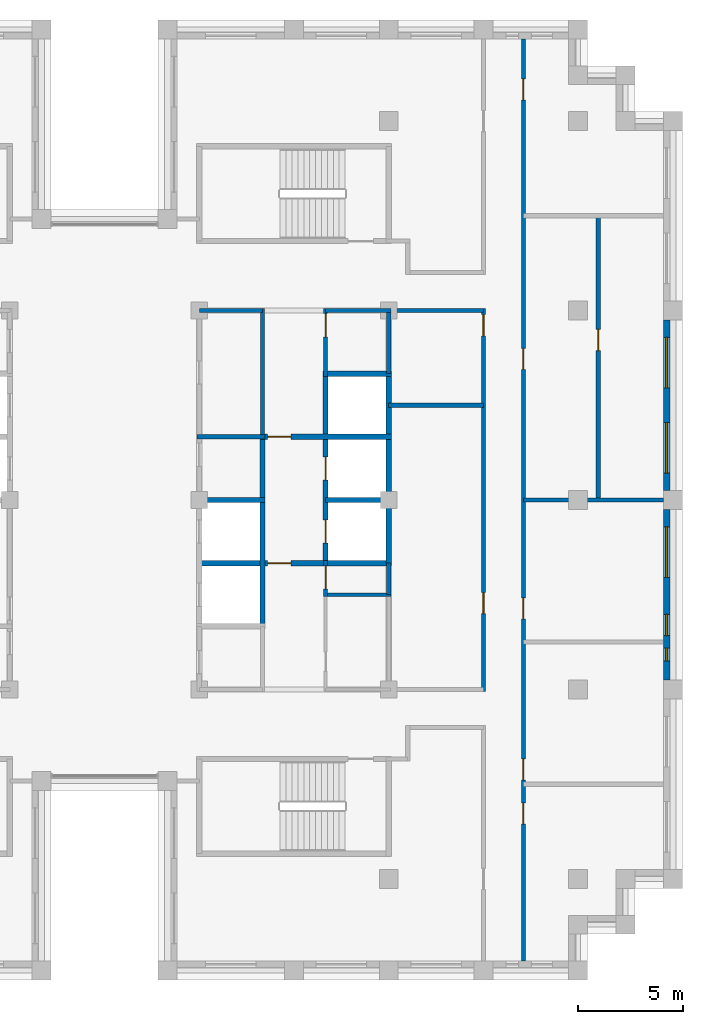
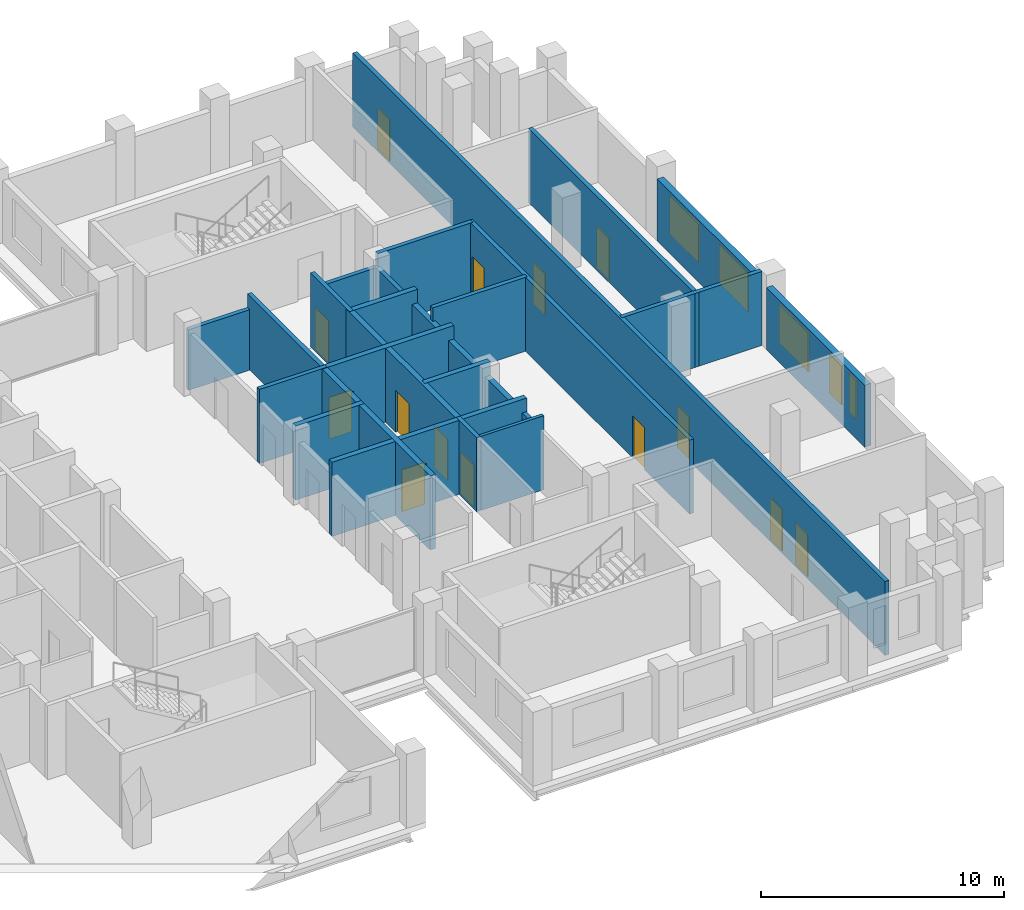
# One storey, part 9 of 13: 25 walls, 14 doors, 5 windows, 19 openings.
"""IFC4 building model written with IfcOpenShell, lengths in metres."""

from ifc_helpers import new_model, si_unit, direction, frame, frame_2d, origin, place, context, subcontext, project, spatial, rectangle, extrude, material, layer, layer_set, type_object, element, fill, save


model = new_model("IFC4")

# Units and contexts
model_context = context("Model", 3, precision=1e-05, world=origin(), true_north=direction((0.0, 1.0)))
body_context = subcontext(model_context, "Body", "Model", "MODEL_VIEW")
ifc_project = project(units=[si_unit("LENGTHUNIT", "METRE"), si_unit("AREAUNIT", "SQUARE_METRE"), si_unit("VOLUMEUNIT", "CUBIC_METRE"), si_unit("PLANEANGLEUNIT", "RADIAN"), si_unit("MASSUNIT", "GRAM", prefix="KILO")], contexts=[model_context])

# Site, building, storey
site_placement = place(None, origin())
site = spatial("IfcSite", under=ifc_project, at=site_placement, CompositionType="ELEMENT")
building_placement = place(site_placement, origin())
building = spatial("IfcBuilding", under=site, at=building_placement, Name="Corbelhall Arena Tower", CompositionType="ELEMENT")
storey_placement = place(building_placement, frame((0.0, 0.0, 246.0)))
storey = spatial("IfcBuildingStorey", under=building, at=storey_placement, Name="L52", CompositionType="ELEMENT", Elevation=246.0)

# Wall, openings, windows
ifc_material_1 = material(Name="Precast concrete C40/50 with granite facing", Category="masonry")
ifc_layer_1 = layer(ifc_material_1, 0.300048828125)
ifc_layer_set_1 = layer_set([ifc_layer_1], Name="EV-IW1 Infill panel 300")
wall_type_1 = type_object("IfcWallType", Name="EV-IW1 Infill panel 300", PredefinedType="SOLIDWALL", material=ifc_layer_set_1)
wall_1_placement = place(storey_placement, frame((26.699951171875, -8.550048828125, 0.0), z_axis=(0.0, 0.0, 1.0), x_axis=(0.0, 1.0, 0.0)))
wall_1 = element("IfcWall", 1, at=wall_1_placement, inside=storey, type_object=wall_type_1, Name="Infill panel IW1", PredefinedType="SOLIDWALL", context=body_context, shape_type="SweptSolid", body=[
    extrude(rectangle(XDim=8.10009765625, YDim=0.300048828125, at=frame_2d((4.050048828125, 0.0))), origin(), (0.0, 0.0, 1.0), 3.1201171875),
])
opening_1_placement = place(wall_1_placement, frame((4.875, 0.0, 0.800048828125)))
opening_1 = element("IfcOpeningElement", 2, at=opening_1_placement, cuts=wall_1, Name="Opening WN1", PredefinedType="OPENING", context=body_context, shape_type="SweptSolid", body=[
    extrude(rectangle(XDim=2.39990234375, YDim=1.949951171875, at=frame_2d((1.199951171875, 0.97509765625))), frame((0.0, 0.14990234375, 0.0), z_axis=(0.0, -1.0, 0.0), x_axis=(1.0, 0.0, 0.0)), (0.0, 0.0, 1.0), 0.300048828125),
])
opening_2_placement = place(wall_1_placement, frame((0.91259765625, 0.0, 0.800048828125)))
opening_2 = element("IfcOpeningElement", 3, at=opening_2_placement, cuts=wall_1, Name="Opening WN5", PredefinedType="OPENING", context=body_context, shape_type="SweptSolid", body=[
    extrude(rectangle(XDim=0.60009765625, YDim=1.949951171875, at=frame_2d((0.300048828125, 0.97509765625))), frame((0.0, 0.14990234375, 0.0), z_axis=(0.0, -1.0, 0.0), x_axis=(1.0, 0.0, 0.0)), (0.0, 0.0, 1.0), 0.300048828125),
])
opening_3_placement = place(wall_1_placement, frame((2.112548828125, 0.0, 0.800048828125)))
opening_3 = element("IfcOpeningElement", 4, at=opening_3_placement, cuts=wall_1, Name="Opening WN6", PredefinedType="OPENING", context=body_context, shape_type="SweptSolid", body=[
    extrude(rectangle(XDim=1.0, YDim=1.949951171875, at=frame_2d((0.5, 0.97509765625))), frame((0.0, 0.14990234375, 0.0), z_axis=(0.0, -1.0, 0.0), x_axis=(1.0, 0.0, 0.0)), (0.0, 0.0, 1.0), 0.300048828125),
])
ifc_material_2 = material(Name="Aluminium black anodised", Category="aluminium")
window_type_1 = type_object("IfcWindowType", Name="EV-WN1 Office window", PartitioningType="SINGLE_PANEL", PredefinedType="WINDOW", material=ifc_material_2)
window_1_placement = place(opening_1_placement, origin())
window_1 = element("IfcWindow", 5, at=window_1_placement, inside=storey, type_object=window_type_1, Name="Window WN1", OverallHeight=1.949951171875, OverallWidth=2.39990234375, PartitioningType="SINGLE_PANEL", PredefinedType="WINDOW", context=body_context, shape_type="SweptSolid", body=[
    extrude(rectangle(XDim=2.39990234375, YDim=1.949951171875, at=frame_2d((1.199951171875, 0.97509765625))), frame((0.0, 0.030029296875, 0.0), z_axis=(0.0, -1.0, 0.0), x_axis=(1.0, 0.0, 0.0)), (0.0, 0.0, 1.0), 0.06005859375),
])
fill(opening_1, window_1)
window_type_2 = type_object("IfcWindowType", Name="EV-WN5 Office window 600", PartitioningType="SINGLE_PANEL", PredefinedType="WINDOW", material=ifc_material_2)
window_2_placement = place(opening_2_placement, origin())
window_2 = element("IfcWindow", 6, at=window_2_placement, inside=storey, type_object=window_type_2, Name="Window WN5", OverallHeight=1.949951171875, OverallWidth=0.60009765625, PartitioningType="SINGLE_PANEL", PredefinedType="WINDOW", context=body_context, shape_type="SweptSolid", body=[
    extrude(rectangle(XDim=0.60009765625, YDim=1.949951171875, at=frame_2d((0.300048828125, 0.97509765625))), frame((0.0, 0.030029296875, 0.0), z_axis=(0.0, -1.0, 0.0), x_axis=(1.0, 0.0, 0.0)), (0.0, 0.0, 1.0), 0.06005859375),
])
fill(opening_2, window_2)
window_type_3 = type_object("IfcWindowType", Name="EV-WN6 Office window 1000", PartitioningType="SINGLE_PANEL", PredefinedType="WINDOW", material=ifc_material_2)
window_3_placement = place(opening_3_placement, origin())
window_3 = element("IfcWindow", 7, at=window_3_placement, inside=storey, type_object=window_type_3, Name="Window WN6", OverallHeight=1.949951171875, OverallWidth=1.0, PartitioningType="SINGLE_PANEL", PredefinedType="WINDOW", context=body_context, shape_type="SweptSolid", body=[
    extrude(rectangle(XDim=1.0, YDim=1.949951171875, at=frame_2d((0.5, 0.97509765625))), frame((0.0, 0.030029296875, 0.0), z_axis=(0.0, -1.0, 0.0), x_axis=(1.0, 0.0, 0.0)), (0.0, 0.0, 1.0), 0.06005859375),
])
fill(opening_3, window_3)

wall_2_placement = place(storey_placement, frame((26.699951171875, 0.449951171875, 0.0), z_axis=(0.0, 0.0, 1.0), x_axis=(0.0, 1.0, 0.0)))
wall_2 = element("IfcWall", 8, at=wall_2_placement, inside=storey, type_object=wall_type_1, Name="Infill panel IW1", PredefinedType="SOLIDWALL", context=body_context, shape_type="SweptSolid", body=[
    extrude(rectangle(XDim=8.10009765625, YDim=0.300048828125, at=frame_2d((4.050048828125, 0.0))), origin(), (0.0, 0.0, 1.0), 3.1201171875),
])
opening_4_placement = place(wall_2_placement, frame((0.824951171875, 0.0, 0.800048828125)))
opening_4 = element("IfcOpeningElement", 9, at=opening_4_placement, cuts=wall_2, Name="Opening WN1", PredefinedType="OPENING", context=body_context, shape_type="SweptSolid", body=[
    extrude(rectangle(XDim=2.39990234375, YDim=1.949951171875, at=frame_2d((1.199951171875, 0.97509765625))), frame((0.0, 0.14990234375, 0.0), z_axis=(0.0, -1.0, 0.0), x_axis=(1.0, 0.0, 0.0)), (0.0, 0.0, 1.0), 0.300048828125),
])
opening_5_placement = place(wall_2_placement, frame((4.875, 0.0, 0.800048828125)))
opening_5 = element("IfcOpeningElement", 10, at=opening_5_placement, cuts=wall_2, Name="Opening WN1", PredefinedType="OPENING", context=body_context, shape_type="SweptSolid", body=[
    extrude(rectangle(XDim=2.39990234375, YDim=1.949951171875, at=frame_2d((1.199951171875, 0.97509765625))), frame((0.0, 0.14990234375, 0.0), z_axis=(0.0, -1.0, 0.0), x_axis=(1.0, 0.0, 0.0)), (0.0, 0.0, 1.0), 0.300048828125),
])
window_4_placement = place(opening_4_placement, origin())
window_4 = element("IfcWindow", 11, at=window_4_placement, inside=storey, type_object=window_type_1, Name="Window WN1", OverallHeight=1.949951171875, OverallWidth=2.39990234375, PartitioningType="SINGLE_PANEL", PredefinedType="WINDOW", context=body_context, shape_type="SweptSolid", body=[
    extrude(rectangle(XDim=2.39990234375, YDim=1.949951171875, at=frame_2d((1.199951171875, 0.97509765625))), frame((0.0, 0.030029296875, 0.0), z_axis=(0.0, -1.0, 0.0), x_axis=(1.0, 0.0, 0.0)), (0.0, 0.0, 1.0), 0.06005859375),
])
fill(opening_4, window_4)
window_5_placement = place(opening_5_placement, origin())
window_5 = element("IfcWindow", 12, at=window_5_placement, inside=storey, type_object=window_type_1, Name="Window WN1", OverallHeight=1.949951171875, OverallWidth=2.39990234375, PartitioningType="SINGLE_PANEL", PredefinedType="WINDOW", context=body_context, shape_type="SweptSolid", body=[
    extrude(rectangle(XDim=2.39990234375, YDim=1.949951171875, at=frame_2d((1.199951171875, 0.97509765625))), frame((0.0, 0.030029296875, 0.0), z_axis=(0.0, -1.0, 0.0), x_axis=(1.0, 0.0, 0.0)), (0.0, 0.0, 1.0), 0.06005859375),
])
fill(opening_5, window_5)

# Walls
ifc_material_3 = material(Name="Gypsum board on steel stud, acoustic", Category="steel")
ifc_layer_2 = layer(ifc_material_3, 0.199951171875)
ifc_layer_set_2 = layer_set([ifc_layer_2], Name="IN-W-DM200")
wall_type_2 = type_object("IfcWallType", Name="IN-W-DM200", PredefinedType="PARTITIONING", material=ifc_layer_set_2)
for number, where, z_axis, x_axis, name in (
    (13, (13.5, 4.5, 0.0), (0.0, 0.0, 1.0), (1.0, 0.0, 0.0), "Partition 028"),
    (14, (18.0, 9.0, 0.0), (0.0, 0.0, 1.0), (-1.0, 0.0, 0.0), "Partition 031"),
):
    element("IfcWall", number, at=place(storey_placement, frame(where, z_axis=z_axis, x_axis=x_axis)), inside=storey, type_object=wall_type_2, Name=name, PredefinedType="PARTITIONING", context=body_context, shape_type="SweptSolid", body=[
        extrude(rectangle(XDim=4.5, YDim=0.199951171875, at=frame_2d((2.25, 0.0))), origin(), (0.0, 0.0, 1.0), 3.719970703125),
    ])

# Wall, openings, doors
wall_3_placement = place(storey_placement, frame((18.0, -9.10009765625, 0.0), z_axis=(0.0, 0.0, 1.0), x_axis=(0.0, 1.0, 0.0)))
wall_3 = element("IfcWall", 15, at=wall_3_placement, inside=storey, type_object=wall_type_2, Name="Partition 036", PredefinedType="PARTITIONING", context=body_context, shape_type="SweptSolid", body=[
    extrude(rectangle(XDim=18.2001953125, YDim=0.199951171875, at=frame_2d((9.10009765625, 0.0))), origin(), (0.0, 0.0, 1.0), 3.719970703125),
])
opening_6_placement = place(wall_3_placement, frame((3.699951171875, 0.0, 0.0)))
opening_6 = element("IfcOpeningElement", 16, at=opening_6_placement, cuts=wall_3, Name="Opening 16023", PredefinedType="OPENING", context=body_context, shape_type="SweptSolid", body=[
    extrude(rectangle(XDim=1.0, YDim=2.10009765625, at=frame_2d((0.5, 1.050048828125))), frame((0.0, 0.10009765625, 0.0), z_axis=(0.0, -1.0, 0.0), x_axis=(1.0, 0.0, 0.0)), (0.0, 0.0, 1.0), 0.199951171875),
])
opening_7_placement = place(wall_3_placement, frame((16.89990234375, 0.0, 0.0)))
opening_7 = element("IfcOpeningElement", 17, at=opening_7_placement, cuts=wall_3, Name="Opening 16024", PredefinedType="OPENING", context=body_context, shape_type="SweptSolid", body=[
    extrude(rectangle(XDim=1.0, YDim=2.10009765625, at=frame_2d((0.5, 1.050048828125))), frame((0.0, 0.10009765625, 0.0), z_axis=(0.0, -1.0, 0.0), x_axis=(1.0, 0.0, 0.0)), (0.0, 0.0, 1.0), 0.199951171875),
])
ifc_material_4 = material(Name="Steel door set", Category="steel")
door_type_1 = type_object("IfcDoorType", Name="IN-D-SW100", OperationType="NOTDEFINED", PredefinedType="DOOR", material=ifc_material_4)
door_1_placement = place(opening_6_placement, origin())
door_1 = element("IfcDoor", 18, at=door_1_placement, inside=storey, type_object=door_type_1, Name="Door 023", OperationType="SINGLE_SWING_RIGHT", OverallHeight=2.10009765625, OverallWidth=1.0, PredefinedType="DOOR", context=body_context, shape_type="SweptSolid", body=[
    extrude(rectangle(XDim=1.0, YDim=2.10009765625, at=frame_2d((0.5, 1.050048828125))), frame((0.0, 0.02490234375, 0.0), z_axis=(0.0, -1.0, 0.0), x_axis=(1.0, 0.0, 0.0)), (0.0, 0.0, 1.0), 0.050048828125),
])
fill(opening_6, door_1)
door_2_placement = place(opening_7_placement, origin())
door_2 = element("IfcDoor", 19, at=door_2_placement, inside=storey, type_object=door_type_1, Name="Door 024", OperationType="SINGLE_SWING_LEFT", OverallHeight=2.10009765625, OverallWidth=1.0, PredefinedType="DOOR", context=body_context, shape_type="SweptSolid", body=[
    extrude(rectangle(XDim=1.0, YDim=2.10009765625, at=frame_2d((0.5, 1.050048828125))), frame((0.0, 0.02490234375, 0.0), z_axis=(0.0, -1.0, 0.0), x_axis=(1.0, 0.0, 0.0)), (0.0, 0.0, 1.0), 0.050048828125),
])
fill(opening_7, door_2)

wall_4_placement = place(storey_placement, frame((19.89990234375, 21.89990234375, 0.0), z_axis=(0.0, 0.0, 1.0), x_axis=(0.0, -1.0, 0.0)))
wall_4 = element("IfcWall", 20, at=wall_4_placement, inside=storey, type_object=wall_type_2, Name="Partition 039", PredefinedType="PARTITIONING", context=body_context, shape_type="SweptSolid", body=[
    extrude(rectangle(XDim=43.7998046875, YDim=0.199951171875, at=frame_2d((21.89990234375, 0.0))), origin(), (0.0, 0.0, 1.0), 3.719970703125),
])
opening_8_placement = place(wall_4_placement, frame((14.699951171875, 0.0, 0.0)))
opening_8 = element("IfcOpeningElement", 21, at=opening_8_placement, cuts=wall_4, Name="Opening 16034", PredefinedType="OPENING", context=body_context, shape_type="SweptSolid", body=[
    extrude(rectangle(XDim=1.0, YDim=2.10009765625, at=frame_2d((0.5, 1.050048828125))), frame((0.0, 0.10009765625, 0.0), z_axis=(0.0, -1.0, 0.0), x_axis=(1.0, 0.0, 0.0)), (0.0, 0.0, 1.0), 0.199951171875),
])
opening_9_placement = place(wall_4_placement, frame((1.89990234375, 0.0, 0.0)))
opening_9 = element("IfcOpeningElement", 22, at=opening_9_placement, cuts=wall_4, Name="Opening 16036", PredefinedType="OPENING", context=body_context, shape_type="SweptSolid", body=[
    extrude(rectangle(XDim=1.0, YDim=2.10009765625, at=frame_2d((0.5, 1.050048828125))), frame((0.0, 0.10009765625, 0.0), z_axis=(0.0, -1.0, 0.0), x_axis=(1.0, 0.0, 0.0)), (0.0, 0.0, 1.0), 0.199951171875),
])
opening_10_placement = place(wall_4_placement, frame((36.300048828125, 0.0, 0.0)))
opening_10 = element("IfcOpeningElement", 23, at=opening_10_placement, cuts=wall_4, Name="Opening 16037", PredefinedType="OPENING", context=body_context, shape_type="SweptSolid", body=[
    extrude(rectangle(XDim=1.0, YDim=2.10009765625, at=frame_2d((0.5, 1.050048828125))), frame((0.0, 0.10009765625, 0.0), z_axis=(0.0, -1.0, 0.0), x_axis=(1.0, 0.0, 0.0)), (0.0, 0.0, 1.0), 0.199951171875),
])
opening_11_placement = place(wall_4_placement, frame((34.199951171875, 0.0, 0.0)))
opening_11 = element("IfcOpeningElement", 24, at=opening_11_placement, cuts=wall_4, Name="Opening 16338", PredefinedType="OPENING", context=body_context, shape_type="SweptSolid", body=[
    extrude(rectangle(XDim=1.0, YDim=2.10009765625, at=frame_2d((0.5, 1.050048828125))), frame((0.0, 0.10009765625, 0.0), z_axis=(0.0, -1.0, 0.0), x_axis=(1.0, 0.0, 0.0)), (0.0, 0.0, 1.0), 0.199951171875),
])
opening_12_placement = place(wall_4_placement, frame((26.550048828125, 0.0, 0.0)))
opening_12 = element("IfcOpeningElement", 25, at=opening_12_placement, cuts=wall_4, Name="Opening 16039", PredefinedType="OPENING", context=body_context, shape_type="SweptSolid", body=[
    extrude(rectangle(XDim=1.0, YDim=2.10009765625, at=frame_2d((0.5, 1.050048828125))), frame((0.0, 0.10009765625, 0.0), z_axis=(0.0, -1.0, 0.0), x_axis=(1.0, 0.0, 0.0)), (0.0, 0.0, 1.0), 0.199951171875),
])
door_3_placement = place(opening_8_placement, origin())
door_3 = element("IfcDoor", 26, at=door_3_placement, inside=storey, type_object=door_type_1, Name="Door 034", OperationType="SINGLE_SWING_LEFT", OverallHeight=2.10009765625, OverallWidth=1.0, PredefinedType="DOOR", context=body_context, shape_type="SweptSolid", body=[
    extrude(rectangle(XDim=1.0, YDim=2.10009765625, at=frame_2d((0.5, 1.050048828125))), frame((0.0, 0.02490234375, 0.0), z_axis=(0.0, -1.0, 0.0), x_axis=(1.0, 0.0, 0.0)), (0.0, 0.0, 1.0), 0.050048828125),
])
fill(opening_8, door_3)
door_4_placement = place(opening_9_placement, origin())
door_4 = element("IfcDoor", 27, at=door_4_placement, inside=storey, type_object=door_type_1, Name="Door 036", OperationType="SINGLE_SWING_LEFT", OverallHeight=2.10009765625, OverallWidth=1.0, PredefinedType="DOOR", context=body_context, shape_type="SweptSolid", body=[
    extrude(rectangle(XDim=1.0, YDim=2.10009765625, at=frame_2d((0.5, 1.050048828125))), frame((0.0, 0.02490234375, 0.0), z_axis=(0.0, -1.0, 0.0), x_axis=(1.0, 0.0, 0.0)), (0.0, 0.0, 1.0), 0.050048828125),
])
fill(opening_9, door_4)
door_5_placement = place(opening_10_placement, origin())
door_5 = element("IfcDoor", 28, at=door_5_placement, inside=storey, type_object=door_type_1, Name="Door 037", OperationType="SINGLE_SWING_RIGHT", OverallHeight=2.10009765625, OverallWidth=1.0, PredefinedType="DOOR", context=body_context, shape_type="SweptSolid", body=[
    extrude(rectangle(XDim=1.0, YDim=2.10009765625, at=frame_2d((0.5, 1.050048828125))), frame((0.0, 0.02490234375, 0.0), z_axis=(0.0, -1.0, 0.0), x_axis=(1.0, 0.0, 0.0)), (0.0, 0.0, 1.0), 0.050048828125),
])
fill(opening_10, door_5)
door_6_placement = place(opening_11_placement, origin())
door_6 = element("IfcDoor", 29, at=door_6_placement, inside=storey, type_object=door_type_1, Name="Door 038", OperationType="SINGLE_SWING_LEFT", OverallHeight=2.10009765625, OverallWidth=1.0, PredefinedType="DOOR", context=body_context, shape_type="SweptSolid", body=[
    extrude(rectangle(XDim=1.0, YDim=2.10009765625, at=frame_2d((0.5, 1.050048828125))), frame((0.0, 0.02490234375, 0.0), z_axis=(0.0, -1.0, 0.0), x_axis=(1.0, 0.0, 0.0)), (0.0, 0.0, 1.0), 0.050048828125),
])
fill(opening_11, door_6)
door_7_placement = place(opening_12_placement, origin())
door_7 = element("IfcDoor", 30, at=door_7_placement, inside=storey, type_object=door_type_1, Name="Door 039", OperationType="SINGLE_SWING_RIGHT", OverallHeight=2.10009765625, OverallWidth=1.0, PredefinedType="DOOR", context=body_context, shape_type="SweptSolid", body=[
    extrude(rectangle(XDim=1.0, YDim=2.10009765625, at=frame_2d((0.5, 1.050048828125))), frame((0.0, 0.02490234375, 0.0), z_axis=(0.0, -1.0, 0.0), x_axis=(1.0, 0.0, 0.0)), (0.0, 0.0, 1.0), 0.050048828125),
])
fill(opening_12, door_7)

# Wall
wall_5_placement = place(storey_placement, frame((26.550048828125, 0.0, 0.0), z_axis=(0.0, 0.0, 1.0), x_axis=(-1.0, 0.0, 0.0)))
element("IfcWall", 31, at=wall_5_placement, inside=storey, type_object=wall_type_2, Name="Partition 042", PredefinedType="PARTITIONING", context=body_context, shape_type="SweptSolid", body=[
    extrude(rectangle(XDim=6.650146484375, YDim=0.199951171875, at=frame_2d((3.3251953125, 0.0))), origin(), (0.0, 0.0, 1.0), 3.719970703125),
])

# Wall, opening, door
wall_6_placement = place(storey_placement, frame((23.449951171875, 13.60009765625, 0.0), z_axis=(0.0, 0.0, 1.0), x_axis=(0.0, -1.0, 0.0)))
wall_6 = element("IfcWall", 32, at=wall_6_placement, inside=storey, type_object=wall_type_2, Name="Partition 043", PredefinedType="PARTITIONING", context=body_context, shape_type="SweptSolid", body=[
    extrude(rectangle(XDim=13.7001953125, YDim=0.199951171875, at=frame_2d((6.85009765625, 0.0))), origin(), (0.0, 0.0, 1.0), 3.719970703125),
])
opening_13_placement = place(wall_6_placement, frame((5.5, 0.0, 0.0)))
opening_13 = element("IfcOpeningElement", 33, at=opening_13_placement, cuts=wall_6, Name="Opening 16035", PredefinedType="OPENING", context=body_context, shape_type="SweptSolid", body=[
    extrude(rectangle(XDim=1.0, YDim=2.10009765625, at=frame_2d((0.5, 1.050048828125))), frame((0.0, 0.10009765625, 0.0), z_axis=(0.0, -1.0, 0.0), x_axis=(1.0, 0.0, 0.0)), (0.0, 0.0, 1.0), 0.199951171875),
])
door_8_placement = place(opening_13_placement, origin())
door_8 = element("IfcDoor", 34, at=door_8_placement, inside=storey, type_object=door_type_1, Name="Door 035", OperationType="SINGLE_SWING_RIGHT", OverallHeight=2.10009765625, OverallWidth=1.0, PredefinedType="DOOR", context=body_context, shape_type="SweptSolid", body=[
    extrude(rectangle(XDim=1.0, YDim=2.10009765625, at=frame_2d((0.5, 1.050048828125))), frame((0.0, 0.02490234375, 0.0), z_axis=(0.0, -1.0, 0.0), x_axis=(1.0, 0.0, 0.0)), (0.0, 0.0, 1.0), 0.050048828125),
])
fill(opening_13, door_8)

# Walls
ifc_material_5 = material(Name="Concrete block wall", Category="concrete")
ifc_layer_3 = layer(ifc_material_5, 0.199951171875)
ifc_layer_set_3 = layer_set([ifc_layer_3], Name="IN-W-RS200")
wall_type_3 = type_object("IfcWallType", Name="IN-W-RS200", PredefinedType="SOLIDWALL", material=ifc_layer_set_3)
wall_7_placement = place(storey_placement, frame((4.39990234375, 3.0, 0.0), z_axis=(0.0, 0.0, 1.0), x_axis=(1.0, 0.0, 0.0)))
element("IfcWall", 35, at=wall_7_placement, inside=storey, type_object=wall_type_3, Name="Partition 056", PredefinedType="SOLIDWALL", context=body_context, shape_type="SweptSolid", body=[
    extrude(rectangle(XDim=3.22509765625, YDim=0.199951171875, at=frame_2d((1.612548828125, 0.0))), origin(), (0.0, 0.0, 1.0), 3.719970703125),
])
wall_8_placement = place(storey_placement, frame((7.5, 9.10009765625, 0.0), z_axis=(0.0, 0.0, 1.0), x_axis=(0.0, -1.0, 0.0)))
element("IfcWall", 36, at=wall_8_placement, inside=storey, type_object=wall_type_3, Name="Partition 062", PredefinedType="SOLIDWALL", context=body_context, shape_type="SweptSolid", body=[
    extrude(rectangle(XDim=6.22509765625, YDim=0.199951171875, at=frame_2d((3.112548828125, 0.0))), origin(), (0.0, 0.0, 1.0), 3.719970703125),
])

# Wall, opening, door
wall_9_placement = place(storey_placement, frame((10.5, -2.875, 0.0), z_axis=(0.0, 0.0, 1.0), x_axis=(0.0, -1.0, 0.0)))
wall_9 = element("IfcWall", 37, at=wall_9_placement, inside=storey, type_object=wall_type_3, Name="Partition 063", PredefinedType="SOLIDWALL", context=body_context, shape_type="SweptSolid", body=[
    extrude(rectangle(XDim=1.699951171875, YDim=0.199951171875, at=frame_2d((0.85009765625, 0.0))), origin(), (0.0, 0.0, 1.0), 3.719970703125),
])
opening_14_placement = place(wall_9_placement, frame((0.25, 0.0, 0.0)))
opening_14 = element("IfcOpeningElement", 38, at=opening_14_placement, cuts=wall_9, Name="Opening 16015", PredefinedType="OPENING", context=body_context, shape_type="SweptSolid", body=[
    extrude(rectangle(XDim=1.10009765625, YDim=2.10009765625, at=frame_2d((0.550048828125, 1.050048828125))), frame((0.0, 0.10009765625, 0.0), z_axis=(0.0, -1.0, 0.0), x_axis=(1.0, 0.0, 0.0)), (0.0, 0.0, 1.0), 0.199951171875),
])
door_type_2 = type_object("IfcDoorType", Name="IN-D-FD110", OperationType="NOTDEFINED", PredefinedType="DOOR", material=ifc_material_4)
door_9_placement = place(opening_14_placement, origin())
door_9 = element("IfcDoor", 39, at=door_9_placement, inside=storey, type_object=door_type_2, Name="Door 015", OperationType="SINGLE_SWING_RIGHT", OverallHeight=2.10009765625, OverallWidth=1.10009765625, PredefinedType="DOOR", context=body_context, shape_type="SweptSolid", body=[
    extrude(rectangle(XDim=1.10009765625, YDim=2.10009765625, at=frame_2d((0.550048828125, 1.050048828125))), frame((0.0, 0.02490234375, 0.0), z_axis=(0.0, -1.0, 0.0), x_axis=(1.0, 0.0, 0.0)), (0.0, 0.0, 1.0), 0.050048828125),
])
fill(opening_14, door_9)

wall_10_placement = place(storey_placement, frame((10.5, 9.10009765625, 0.0), z_axis=(0.0, 0.0, 1.0), x_axis=(0.0, -1.0, 0.0)))
wall_10 = element("IfcWall", 40, at=wall_10_placement, inside=storey, type_object=wall_type_3, Name="Partition 065", PredefinedType="SOLIDWALL", context=body_context, shape_type="SweptSolid", body=[
    extrude(rectangle(XDim=3.22509765625, YDim=0.199951171875, at=frame_2d((1.612548828125, 0.0))), origin(), (0.0, 0.0, 1.0), 3.719970703125),
])
opening_15_placement = place(wall_10_placement, frame((0.25, 0.0, 0.0)))
opening_15 = element("IfcOpeningElement", 41, at=opening_15_placement, cuts=wall_10, Name="Opening 16016", PredefinedType="OPENING", context=body_context, shape_type="SweptSolid", body=[
    extrude(rectangle(XDim=1.10009765625, YDim=2.10009765625, at=frame_2d((0.550048828125, 1.050048828125))), frame((0.0, 0.10009765625, 0.0), z_axis=(0.0, -1.0, 0.0), x_axis=(1.0, 0.0, 0.0)), (0.0, 0.0, 1.0), 0.199951171875),
])
door_10_placement = place(opening_15_placement, origin())
door_10 = element("IfcDoor", 42, at=door_10_placement, inside=storey, type_object=door_type_2, Name="Door 016", OperationType="SINGLE_SWING_LEFT", OverallHeight=2.10009765625, OverallWidth=1.10009765625, PredefinedType="DOOR", context=body_context, shape_type="SweptSolid", body=[
    extrude(rectangle(XDim=1.10009765625, YDim=2.10009765625, at=frame_2d((0.550048828125, 1.050048828125))), frame((0.0, 0.02490234375, 0.0), z_axis=(0.0, -1.0, 0.0), x_axis=(1.0, 0.0, 0.0)), (0.0, 0.0, 1.0), 0.050048828125),
])
fill(opening_15, door_10)

# Walls
ifc_layer_4 = layer(ifc_material_5, 0.199951171875)
ifc_layer_set_4 = layer_set([ifc_layer_4], Name="IN-W-RS200 under beam 678 mm")
wall_type_4 = type_object("IfcWallType", Name="IN-W-RS200 under beam 678 mm", PredefinedType="SOLIDWALL", material=ifc_layer_set_4)
wall_11_placement = place(storey_placement, frame((4.5, 9.0, 0.0), z_axis=(0.0, 0.0, 1.0), x_axis=(1.0, 0.0, 0.0)))
element("IfcWall", 43, at=wall_11_placement, inside=storey, type_object=wall_type_4, Name="Partition 059", PredefinedType="SOLIDWALL", context=body_context, shape_type="SweptSolid", body=[
    extrude(rectangle(XDim=3.0, YDim=0.199951171875, at=frame_2d((1.5, 0.0))), origin(), (0.0, 0.0, 1.0), 3.041748046875),
])
wall_12_placement = place(storey_placement, frame((10.5, 9.0, 0.0), z_axis=(0.0, 0.0, 1.0), x_axis=(1.0, 0.0, 0.0)))
element("IfcWall", 44, at=wall_12_placement, inside=storey, type_object=wall_type_4, Name="Partition 064", PredefinedType="SOLIDWALL", context=body_context, shape_type="SweptSolid", body=[
    extrude(rectangle(XDim=3.10009765625, YDim=0.199951171875, at=frame_2d((1.550048828125, 0.0))), origin(), (0.0, 0.0, 1.0), 3.041748046875),
])
wall_13_placement = place(storey_placement, frame((13.5, -3.0, 0.0), z_axis=(0.0, 0.0, 1.0), x_axis=(0.0, -1.0, 0.0)))
element("IfcWall", 45, at=wall_13_placement, inside=storey, type_object=wall_type_4, Name="Partition 066", PredefinedType="SOLIDWALL", context=body_context, shape_type="SweptSolid", body=[
    extrude(rectangle(XDim=1.5, YDim=0.199951171875, at=frame_2d((0.75, 0.0))), origin(), (0.0, 0.0, 1.0), 3.041748046875),
])
wall_14_placement = place(storey_placement, frame((13.5, 9.10009765625, 0.0), z_axis=(0.0, 0.0, 1.0), x_axis=(0.0, -1.0, 0.0)))
element("IfcWall", 46, at=wall_14_placement, inside=storey, type_object=wall_type_4, Name="Partition 067", PredefinedType="SOLIDWALL", context=body_context, shape_type="SweptSolid", body=[
    extrude(rectangle(XDim=3.10009765625, YDim=0.199951171875, at=frame_2d((1.550048828125, 0.0))), origin(), (0.0, 0.0, 1.0), 3.041748046875),
])

# Wall, opening, door
ifc_material_6 = material(Name="Concrete C40/50", Category="concrete")
ifc_layer_5 = layer(ifc_material_6, 0.25)
ifc_layer_set_5 = layer_set([ifc_layer_5], Name="IN-W-SH250")
wall_type_5 = type_object("IfcWallType", Name="IN-W-SH250", PredefinedType="SOLIDWALL", material=ifc_layer_set_5)
wall_15_placement = place(storey_placement, frame((4.375, -3.0, 0.0), z_axis=(0.0, 0.0, 1.0), x_axis=(1.0, 0.0, 0.0)))
wall_15 = element("IfcWall", 47, at=wall_15_placement, inside=storey, type_object=wall_type_5, Name="Shaft wall 078", PredefinedType="SOLIDWALL", context=body_context, shape_type="SweptSolid", body=[
    extrude(rectangle(XDim=9.25, YDim=0.25, at=frame_2d((4.625, 0.0))), origin(), (0.0, 0.0, 1.0), 3.719970703125),
])
opening_16_placement = place(wall_15_placement, frame((3.375, 0.0, 0.0)))
opening_16 = element("IfcOpeningElement", 48, at=opening_16_placement, cuts=wall_15, Name="Opening 16012", PredefinedType="OPENING", context=body_context, shape_type="SweptSolid", body=[
    extrude(rectangle(XDim=1.10009765625, YDim=2.10009765625, at=frame_2d((0.550048828125, 1.050048828125))), frame((0.0, 0.125, 0.0), z_axis=(0.0, -1.0, 0.0), x_axis=(1.0, 0.0, 0.0)), (0.0, 0.0, 1.0), 0.25),
])
door_11_placement = place(opening_16_placement, origin())
door_11 = element("IfcDoor", 49, at=door_11_placement, inside=storey, type_object=door_type_2, Name="Door 012", OperationType="SINGLE_SWING_LEFT", OverallHeight=2.10009765625, OverallWidth=1.10009765625, PredefinedType="DOOR", context=body_context, shape_type="SweptSolid", body=[
    extrude(rectangle(XDim=1.10009765625, YDim=2.10009765625, at=frame_2d((0.550048828125, 1.050048828125))), frame((0.0, 0.02490234375, 0.0), z_axis=(0.0, -1.0, 0.0), x_axis=(1.0, 0.0, 0.0)), (0.0, 0.0, 1.0), 0.050048828125),
])
fill(opening_16, door_11)

# Walls
wall_16_placement = place(storey_placement, frame((4.375, 0.0, 0.0), z_axis=(0.0, 0.0, 1.0), x_axis=(1.0, 0.0, 0.0)))
element("IfcWall", 50, at=wall_16_placement, inside=storey, type_object=wall_type_5, Name="Shaft wall 079", PredefinedType="SOLIDWALL", context=body_context, shape_type="SweptSolid", body=[
    extrude(rectangle(XDim=3.25, YDim=0.25, at=frame_2d((1.625, 0.0))), origin(), (0.0, 0.0, 1.0), 3.719970703125),
])
wall_17_placement = place(storey_placement, frame((7.5, 3.125, 0.0), z_axis=(0.0, 0.0, 1.0), x_axis=(0.0, -1.0, 0.0)))
element("IfcWall", 51, at=wall_17_placement, inside=storey, type_object=wall_type_5, Name="Shaft wall 081", PredefinedType="SOLIDWALL", context=body_context, shape_type="SweptSolid", body=[
    extrude(rectangle(XDim=9.125, YDim=0.25, at=frame_2d((4.5625, 0.0))), origin(), (0.0, 0.0, 1.0), 3.719970703125),
])

# Wall, opening, door
wall_18_placement = place(storey_placement, frame((7.5, 3.0, 0.0), z_axis=(0.0, 0.0, 1.0), x_axis=(1.0, 0.0, 0.0)))
wall_18 = element("IfcWall", 52, at=wall_18_placement, inside=storey, type_object=wall_type_5, Name="Shaft wall 082", PredefinedType="SOLIDWALL", context=body_context, shape_type="SweptSolid", body=[
    extrude(rectangle(XDim=6.125, YDim=0.25, at=frame_2d((3.0625, 0.0))), origin(), (0.0, 0.0, 1.0), 3.719970703125),
])
opening_17_placement = place(wall_18_placement, frame((0.25, 0.0, 0.0)))
opening_17 = element("IfcOpeningElement", 53, at=opening_17_placement, cuts=wall_18, Name="Opening 16013", PredefinedType="OPENING", context=body_context, shape_type="SweptSolid", body=[
    extrude(rectangle(XDim=1.10009765625, YDim=2.10009765625, at=frame_2d((0.550048828125, 1.050048828125))), frame((0.0, 0.125, 0.0), z_axis=(0.0, -1.0, 0.0), x_axis=(1.0, 0.0, 0.0)), (0.0, 0.0, 1.0), 0.25),
])
door_12_placement = place(opening_17_placement, origin())
door_12 = element("IfcDoor", 54, at=door_12_placement, inside=storey, type_object=door_type_2, Name="Door 013", OperationType="SINGLE_SWING_RIGHT", OverallHeight=2.10009765625, OverallWidth=1.10009765625, PredefinedType="DOOR", context=body_context, shape_type="SweptSolid", body=[
    extrude(rectangle(XDim=1.10009765625, YDim=2.10009765625, at=frame_2d((0.550048828125, 1.050048828125))), frame((0.0, 0.02490234375, 0.0), z_axis=(0.0, -1.0, 0.0), x_axis=(1.0, 0.0, 0.0)), (0.0, 0.0, 1.0), 0.050048828125),
])
fill(opening_17, door_12)

# Wall
wall_19_placement = place(storey_placement, frame((10.5, 0.0, 0.0), z_axis=(0.0, 0.0, 1.0), x_axis=(1.0, 0.0, 0.0)))
element("IfcWall", 55, at=wall_19_placement, inside=storey, type_object=wall_type_5, Name="Shaft wall 083", PredefinedType="SOLIDWALL", context=body_context, shape_type="SweptSolid", body=[
    extrude(rectangle(XDim=3.125, YDim=0.25, at=frame_2d((1.5625, 0.0))), origin(), (0.0, 0.0, 1.0), 3.719970703125),
])

# Wall, openings, doors
wall_20_placement = place(storey_placement, frame((10.5, 6.125, 0.0), z_axis=(0.0, 0.0, 1.0), x_axis=(0.0, -1.0, 0.0)))
wall_20 = element("IfcWall", 56, at=wall_20_placement, inside=storey, type_object=wall_type_5, Name="Shaft wall 084", PredefinedType="SOLIDWALL", context=body_context, shape_type="SweptSolid", body=[
    extrude(rectangle(XDim=9.25, YDim=0.25, at=frame_2d((4.625, 0.0))), origin(), (0.0, 0.0, 1.0), 3.719970703125),
])
opening_18_placement = place(wall_20_placement, frame((7.074951171875, 0.0, 0.0)))
opening_18 = element("IfcOpeningElement", 57, at=opening_18_placement, cuts=wall_20, Name="Opening LD", PredefinedType="OPENING", context=body_context, shape_type="SweptSolid", body=[
    extrude(rectangle(XDim=1.10009765625, YDim=2.10009765625, at=frame_2d((0.550048828125, 1.050048828125))), frame((0.0, 0.125, 0.0), z_axis=(0.0, -1.0, 0.0), x_axis=(1.0, 0.0, 0.0)), (0.0, 0.0, 1.0), 0.25),
])
opening_19_placement = place(wall_20_placement, frame((4.074951171875, 0.0, 0.0)))
opening_19 = element("IfcOpeningElement", 58, at=opening_19_placement, cuts=wall_20, Name="Opening LD", PredefinedType="OPENING", context=body_context, shape_type="SweptSolid", body=[
    extrude(rectangle(XDim=1.10009765625, YDim=2.10009765625, at=frame_2d((0.550048828125, 1.050048828125))), frame((0.0, 0.125, 0.0), z_axis=(0.0, -1.0, 0.0), x_axis=(1.0, 0.0, 0.0)), (0.0, 0.0, 1.0), 0.25),
])
door_type_3 = type_object("IfcDoorType", Name="IN-D-LD110", OperationType="NOTDEFINED", PredefinedType="DOOR", material=ifc_material_4)
door_13_placement = place(opening_18_placement, origin())
door_13 = element("IfcDoor", 59, at=door_13_placement, inside=storey, type_object=door_type_3, Name="Landing door E3", OperationType="SLIDING_TO_LEFT", OverallHeight=2.10009765625, OverallWidth=1.10009765625, PredefinedType="DOOR", context=body_context, shape_type="SweptSolid", body=[
    extrude(rectangle(XDim=1.10009765625, YDim=2.10009765625, at=frame_2d((0.550048828125, 1.050048828125))), frame((0.0, 0.02490234375, 0.0), z_axis=(0.0, -1.0, 0.0), x_axis=(1.0, 0.0, 0.0)), (0.0, 0.0, 1.0), 0.050048828125),
])
fill(opening_18, door_13)
door_14_placement = place(opening_19_placement, origin())
door_14 = element("IfcDoor", 60, at=door_14_placement, inside=storey, type_object=door_type_3, Name="Landing door E4", OperationType="SLIDING_TO_LEFT", OverallHeight=2.10009765625, OverallWidth=1.10009765625, PredefinedType="DOOR", context=body_context, shape_type="SweptSolid", body=[
    extrude(rectangle(XDim=1.10009765625, YDim=2.10009765625, at=frame_2d((0.550048828125, 1.050048828125))), frame((0.0, 0.02490234375, 0.0), z_axis=(0.0, -1.0, 0.0), x_axis=(1.0, 0.0, 0.0)), (0.0, 0.0, 1.0), 0.050048828125),
])
fill(opening_19, door_14)

# Walls
wall_21_placement = place(storey_placement, frame((10.5, 6.0, 0.0), z_axis=(0.0, 0.0, 1.0), x_axis=(1.0, 0.0, 0.0)))
element("IfcWall", 61, at=wall_21_placement, inside=storey, type_object=wall_type_5, Name="Shaft wall 085", PredefinedType="SOLIDWALL", context=body_context, shape_type="SweptSolid", body=[
    extrude(rectangle(XDim=3.125, YDim=0.25, at=frame_2d((1.5625, 0.0))), origin(), (0.0, 0.0, 1.0), 3.719970703125),
])
ifc_layer_6 = layer(ifc_material_6, 0.25)
ifc_layer_set_6 = layer_set([ifc_layer_6], Name="IN-W-SH250 under beam 678 mm")
wall_type_6 = type_object("IfcWallType", Name="IN-W-SH250 under beam 678 mm", PredefinedType="SOLIDWALL", material=ifc_layer_set_6)
wall_22_placement = place(storey_placement, frame((13.5, 6.0, 0.0), z_axis=(0.0, 0.0, 1.0), x_axis=(0.0, -1.0, 0.0)))
element("IfcWall", 62, at=wall_22_placement, inside=storey, type_object=wall_type_6, Name="Shaft wall 086", PredefinedType="SOLIDWALL", context=body_context, shape_type="SweptSolid", body=[
    extrude(rectangle(XDim=9.0, YDim=0.25, at=frame_2d((4.5, 0.0))), origin(), (0.0, 0.0, 1.0), 3.041748046875),
])
ifc_material_7 = material(Name="Gypsum board on steel stud, moisture resistant", Category="steel")
ifc_layer_7 = layer(ifc_material_7, 0.14990234375)
ifc_layer_set_7 = layer_set([ifc_layer_7], Name="IN-W-WC150")
wall_type_7 = type_object("IfcWallType", Name="IN-W-WC150", PredefinedType="PARTITIONING", material=ifc_layer_set_7)
wall_23_placement = place(storey_placement, frame((10.5, -4.5, 0.0), z_axis=(0.0, 0.0, 1.0), x_axis=(1.0, 0.0, 0.0)))
element("IfcWall", 63, at=wall_23_placement, inside=storey, type_object=wall_type_7, Name="Partition 110", PredefinedType="PARTITIONING", context=body_context, shape_type="SweptSolid", body=[
    extrude(rectangle(XDim=3.10009765625, YDim=0.14990234375, at=frame_2d((1.550048828125, 0.0))), origin(), (0.0, 0.0, 1.0), 3.719970703125),
])

save(model, "model.ifc")
